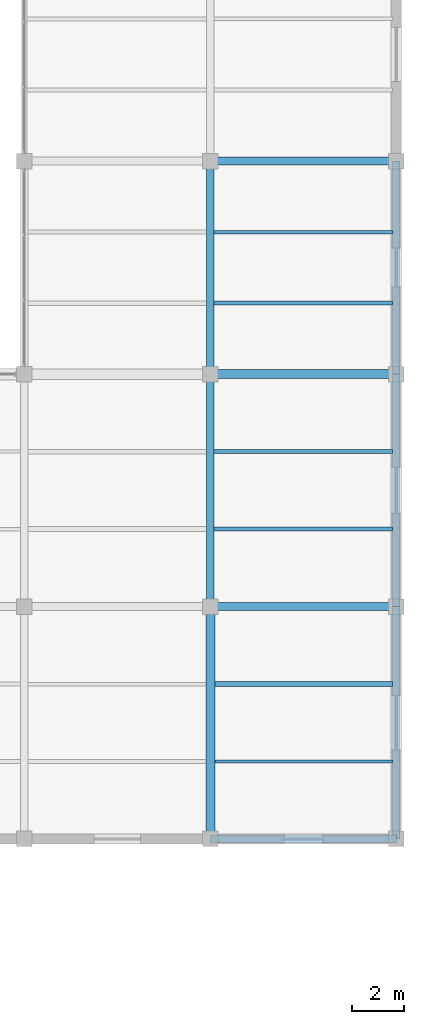
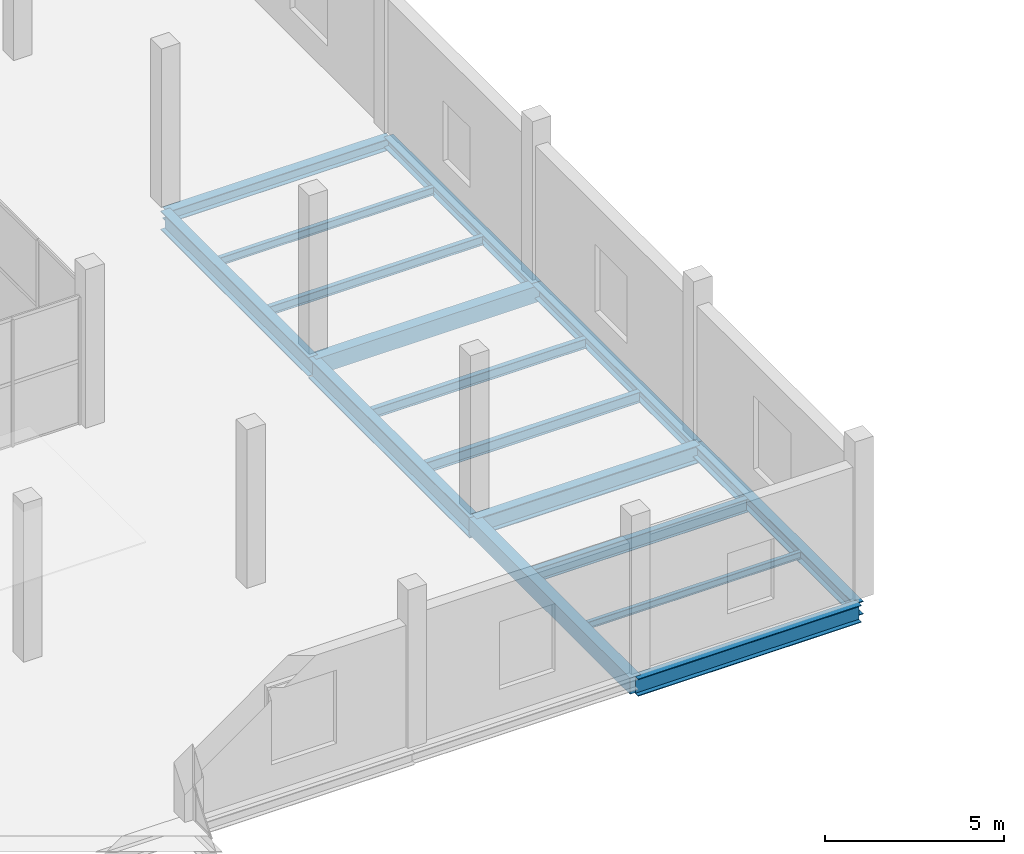
# One storey, part 93 of 141: 16 beams.
"""IFC4 building model written with IfcOpenShell, lengths in metres."""

from ifc_helpers import new_model, si_unit, direction, frame, origin, origin_2d, place, context, subcontext, project, spatial, rectangle, i_section, extrude, material, material_profile, profile_set, type_object, element, save


model = new_model("IFC4")

# Units and contexts
model_context = context("Model", 3, precision=1e-05, world=origin(), true_north=direction((0.0, 1.0)))
body_context = subcontext(model_context, "Body", "Model", "MODEL_VIEW")
ifc_project = project(units=[si_unit("LENGTHUNIT", "METRE"), si_unit("AREAUNIT", "SQUARE_METRE"), si_unit("VOLUMEUNIT", "CUBIC_METRE"), si_unit("PLANEANGLEUNIT", "RADIAN"), si_unit("MASSUNIT", "GRAM", prefix="KILO")], contexts=[model_context])

# Site, building, storey
site_placement = place(None, origin())
site = spatial("IfcSite", under=ifc_project, at=site_placement, CompositionType="ELEMENT")
building_placement = place(site_placement, origin())
building = spatial("IfcBuilding", under=site, at=building_placement, Name="Sundgate Opera House", CompositionType="ELEMENT")
storey_placement = place(building_placement, frame((0.0, 0.0, 11.39990234375)))
storey = spatial("IfcBuildingStorey", under=building, at=storey_placement, Name="L02", CompositionType="ELEMENT", Elevation=11.39990234375)

# Beams
ifc_material_1 = material(Name="Steel S355J2", Category="steel")
ifc_material_profile_1 = material_profile(ifc_material_1, i_section(OverallWidth=0.300048828125, OverallDepth=0.389892578125, WebThickness=0.010986328125, FlangeThickness=0.01904296875, at=origin_2d()), Name="HEA 400")
ifc_profile_set_1 = profile_set([ifc_material_profile_1], Name="Steel S355J2")
beam_type_1 = type_object("IfcBeamType", Name="BM-GR-HEA400", PredefinedType="BEAM", material=ifc_profile_set_1)
beam_1_placement = place(storey_placement, frame((160.199951171875, 95.25, -0.544921875), z_axis=(1.0, 0.0, 0.0), x_axis=(0.0, 1.0, 0.0)))
element("IfcBeam", 1, at=beam_1_placement, inside=storey, type_object=beam_type_1, Name="L02 Primary E-W Girder B2080", PredefinedType="BEAM", context=body_context, shape_type="SweptSolid", body=[
    extrude(i_section(OverallWidth=0.300048828125, OverallDepth=0.389892578125, WebThickness=0.010986328125, FlangeThickness=0.01904296875, at=origin_2d()), origin(), (0.0, 0.0, 1.0), 7.199951171875),
])
ifc_material_2 = material(Name="Steel S355J2", Category="steel")
ifc_material_profile_2 = material_profile(ifc_material_2, i_section(OverallWidth=0.300048828125, OverallDepth=0.590087890625, WebThickness=0.012939453125, FlangeThickness=0.02490234375, at=origin_2d()), Name="HEA 600")
ifc_profile_set_2 = profile_set([ifc_material_profile_2], Name="Steel S355J2")
beam_type_2 = type_object("IfcBeamType", Name="BM-GR-HEA600", PredefinedType="BEAM", material=ifc_profile_set_2)
beam_2_placement = place(storey_placement, frame((160.199951171875, 69.0, -0.64501953125), z_axis=(1.0, 0.0, 0.0), x_axis=(0.0, 1.0, 0.0)))
element("IfcBeam", 2, at=beam_2_placement, inside=storey, type_object=beam_type_2, Name="L02 Primary E-W Girder B2043", PredefinedType="BEAM", context=body_context, shape_type="SweptSolid", body=[
    extrude(i_section(OverallWidth=0.300048828125, OverallDepth=0.590087890625, WebThickness=0.012939453125, FlangeThickness=0.02490234375, at=origin_2d()), origin(), (0.0, 0.0, 1.0), 7.199951171875),
])
ifc_material_3 = material(Name="Steel S355J2", Category="steel")
ifc_material_profile_3 = material_profile(ifc_material_3, i_section(OverallWidth=0.300048828125, OverallDepth=0.360107421875, WebThickness=0.012451171875, FlangeThickness=0.0224609375, at=origin_2d()), Name="HEB 360")
ifc_profile_set_3 = profile_set([ifc_material_profile_3], Name="Steel S355J2")
beam_type_3 = type_object("IfcBeamType", Name="BM-GR-HEB360", PredefinedType="BEAM", material=ifc_profile_set_3)
beam_3_placement = place(storey_placement, frame((167.39990234375, 87.0, -0.52978515625), z_axis=(0.0, 1.0, 0.0), x_axis=(-1.0, 0.0, 0.0)))
element("IfcBeam", 3, at=beam_3_placement, inside=storey, type_object=beam_type_3, Name="L02 Primary N-S Girder B1952", PredefinedType="BEAM", context=body_context, shape_type="SweptSolid", body=[
    extrude(i_section(OverallWidth=0.300048828125, OverallDepth=0.360107421875, WebThickness=0.012451171875, FlangeThickness=0.0224609375, at=origin_2d()), origin(), (0.0, 0.0, 1.0), 8.25),
])
ifc_material_4 = material(Name="Steel S355J2", Category="steel")
ifc_material_profile_4 = material_profile(ifc_material_4, i_section(OverallWidth=0.300048828125, OverallDepth=0.39990234375, WebThickness=0.013427734375, FlangeThickness=0.02392578125, at=origin_2d()), Name="HEB 400")
ifc_profile_set_4 = profile_set([ifc_material_profile_4], Name="Steel S355J2")
beam_type_4 = type_object("IfcBeamType", Name="BM-GR-HEB400", PredefinedType="BEAM", material=ifc_profile_set_4)
beam_4_placement = place(storey_placement, frame((167.39990234375, 78.0, -0.5498046875), z_axis=(0.0, 1.0, 0.0), x_axis=(-1.0, 0.0, 0.0)))
element("IfcBeam", 4, at=beam_4_placement, inside=storey, type_object=beam_type_4, Name="L02 Primary N-S Girder B1951", PredefinedType="BEAM", context=body_context, shape_type="SweptSolid", body=[
    extrude(i_section(OverallWidth=0.300048828125, OverallDepth=0.39990234375, WebThickness=0.013427734375, FlangeThickness=0.02392578125, at=origin_2d()), origin(), (0.0, 0.0, 1.0), 9.0),
])
ifc_material_5 = material(Name="Steel S355J2", Category="steel")
ifc_material_profile_5 = material_profile(ifc_material_5, i_section(OverallWidth=0.300048828125, OverallDepth=0.449951171875, WebThickness=0.013916015625, FlangeThickness=0.02587890625, at=origin_2d()), Name="HEB 450")
ifc_profile_set_5 = profile_set([ifc_material_profile_5], Name="Steel S355J2")
beam_type_5 = type_object("IfcBeamType", Name="BM-GR-HEB450", PredefinedType="BEAM", material=ifc_profile_set_5)
beam_5_placement = place(storey_placement, frame((167.39990234375, 69.0, -0.574951171875), z_axis=(0.0, 1.0, 0.0), x_axis=(-1.0, 0.0, 0.0)))
element("IfcBeam", 5, at=beam_5_placement, inside=storey, type_object=beam_type_5, Name="L02 Primary N-S Girder B1950", PredefinedType="BEAM", context=body_context, shape_type="SweptSolid", body=[
    extrude(i_section(OverallWidth=0.300048828125, OverallDepth=0.449951171875, WebThickness=0.013916015625, FlangeThickness=0.02587890625, at=origin_2d()), origin(), (0.0, 0.0, 1.0), 9.0),
])
ifc_material_6 = material(Name="Steel S355J2", Category="steel")
ifc_material_profile_6 = material_profile(ifc_material_6, i_section(OverallWidth=0.300048828125, OverallDepth=0.60009765625, WebThickness=0.015380859375, FlangeThickness=0.030029296875, at=origin_2d()), Name="HEB 600")
ifc_profile_set_6 = profile_set([ifc_material_profile_6], Name="Steel S355J2")
beam_type_6 = type_object("IfcBeamType", Name="BM-GR-HEB600", PredefinedType="BEAM", material=ifc_profile_set_6)
beam_6_placement = place(storey_placement, frame((160.199951171875, 78.0, -0.64990234375), z_axis=(1.0, 0.0, 0.0), x_axis=(0.0, 1.0, 0.0)))
element("IfcBeam", 6, at=beam_6_placement, inside=storey, type_object=beam_type_6, Name="L02 Primary E-W Girder B2055", PredefinedType="BEAM", context=body_context, shape_type="SweptSolid", body=[
    extrude(i_section(OverallWidth=0.300048828125, OverallDepth=0.60009765625, WebThickness=0.015380859375, FlangeThickness=0.030029296875, at=origin_2d()), origin(), (0.0, 0.0, 1.0), 7.199951171875),
])
ifc_material_7 = material(Name="Steel S355J2", Category="steel")
ifc_material_profile_7 = material_profile(ifc_material_7, i_section(OverallWidth=0.300048828125, OverallDepth=0.64990234375, WebThickness=0.01611328125, FlangeThickness=0.031005859375, at=origin_2d()), Name="HEB 650")
ifc_profile_set_7 = profile_set([ifc_material_profile_7], Name="Steel S355J2")
beam_type_7 = type_object("IfcBeamType", Name="BM-GR-HEB650", PredefinedType="BEAM", material=ifc_profile_set_7)
beam_7_placement = place(storey_placement, frame((160.199951171875, 87.0, -0.6748046875), z_axis=(0.0, 1.0, 0.0), x_axis=(-1.0, 0.0, 0.0)))
element("IfcBeam", 7, at=beam_7_placement, inside=storey, type_object=beam_type_7, Name="L02 Primary N-S Girder B1946", PredefinedType="BEAM", context=body_context, shape_type="SweptSolid", body=[
    extrude(i_section(OverallWidth=0.300048828125, OverallDepth=0.64990234375, WebThickness=0.01611328125, FlangeThickness=0.031005859375, at=origin_2d()), origin(), (0.0, 0.0, 1.0), 8.25),
])
ifc_material_8 = material(Name="Steel S355J2", Category="steel")
ifc_material_profile_8 = material_profile(ifc_material_8, i_section(OverallWidth=0.300048828125, OverallDepth=0.699951171875, WebThickness=0.01708984375, FlangeThickness=0.031982421875, at=origin_2d()), Name="HEB 700")
ifc_profile_set_8 = profile_set([ifc_material_profile_8], Name="Steel S355J2")
beam_type_8 = type_object("IfcBeamType", Name="BM-GR-HEB700", PredefinedType="BEAM", material=ifc_profile_set_8)
beam_8_placement = place(storey_placement, frame((160.199951171875, 78.0, -0.699951171875), z_axis=(0.0, 1.0, 0.0), x_axis=(-1.0, 0.0, 0.0)))
element("IfcBeam", 8, at=beam_8_placement, inside=storey, type_object=beam_type_8, Name="L02 Primary N-S Girder B1945", PredefinedType="BEAM", context=body_context, shape_type="SweptSolid", body=[
    extrude(i_section(OverallWidth=0.300048828125, OverallDepth=0.699951171875, WebThickness=0.01708984375, FlangeThickness=0.031982421875, at=origin_2d()), origin(), (0.0, 0.0, 1.0), 9.0),
])
ifc_material_9 = material(Name="Steel S355J2", Category="steel")
ifc_material_profile_9 = material_profile(ifc_material_9, i_section(OverallWidth=0.1201171875, OverallDepth=0.239990234375, WebThickness=0.006103515625, FlangeThickness=0.009765625, at=origin_2d()), Name="IPE 240")
ifc_profile_set_9 = profile_set([ifc_material_profile_9], Name="Steel S355J2")
beam_type_9 = type_object("IfcBeamType", Name="BM-JS-IPE240", PredefinedType="JOIST", material=ifc_profile_set_9)
beam_9_placement = place(storey_placement, frame((160.375, 72.0, -0.469970703125), z_axis=(1.0, 0.0, 0.0), x_axis=(0.0, 1.0, 0.0)))
element("IfcBeam", 9, at=beam_9_placement, inside=storey, type_object=beam_type_9, Name="L02 Secondary Floor Joist B2303", PredefinedType="JOIST", context=body_context, shape_type="SweptSolid", body=[
    extrude(i_section(OverallWidth=0.1201171875, OverallDepth=0.239990234375, WebThickness=0.006103515625, FlangeThickness=0.009765625, at=origin_2d()), origin(), (0.0, 0.0, 1.0), 6.875),
])
ifc_material_10 = material(Name="Steel S355J2", Category="steel")
ifc_material_profile_10 = material_profile(ifc_material_10, i_section(OverallWidth=0.135009765625, OverallDepth=0.27001953125, WebThickness=0.006591796875, FlangeThickness=0.01025390625, at=origin_2d()), Name="IPE 270")
ifc_profile_set_10 = profile_set([ifc_material_profile_10], Name="Steel S355J2")
beam_type_10 = type_object("IfcBeamType", Name="BM-JS-IPE270", PredefinedType="JOIST", material=ifc_profile_set_10)
beam_10_placement = place(storey_placement, frame((160.35009765625, 92.5, -0.48486328125), z_axis=(1.0, 0.0, 0.0), x_axis=(0.0, 1.0, 0.0)))
element("IfcBeam", 10, at=beam_10_placement, inside=storey, type_object=beam_type_10, Name="L02 Secondary Floor Joist B2358", PredefinedType="JOIST", context=body_context, shape_type="SweptSolid", body=[
    extrude(i_section(OverallWidth=0.135009765625, OverallDepth=0.27001953125, WebThickness=0.006591796875, FlangeThickness=0.01025390625, at=origin_2d()), origin(), (0.0, 0.0, 1.0), 6.89990234375),
])
ifc_material_11 = material(Name="Steel S355J2", Category="steel")
ifc_material_profile_11 = material_profile(ifc_material_11, i_section(OverallWidth=0.14990234375, OverallDepth=0.300048828125, WebThickness=0.007080078125, FlangeThickness=0.0107421875, at=origin_2d()), Name="IPE 300")
ifc_profile_set_11 = profile_set([ifc_material_profile_11], Name="Steel S355J2")
beam_type_11 = type_object("IfcBeamType", Name="BM-JS-IPE300", PredefinedType="JOIST", material=ifc_profile_set_11)
beam_11_placement = place(storey_placement, frame((160.35009765625, 89.75, -0.5), z_axis=(1.0, 0.0, 0.0), x_axis=(0.0, 1.0, 0.0)))
element("IfcBeam", 11, at=beam_11_placement, inside=storey, type_object=beam_type_11, Name="L02 Secondary Floor Joist B2357", PredefinedType="JOIST", context=body_context, shape_type="SweptSolid", body=[
    extrude(i_section(OverallWidth=0.14990234375, OverallDepth=0.300048828125, WebThickness=0.007080078125, FlangeThickness=0.0107421875, at=origin_2d()), origin(), (0.0, 0.0, 1.0), 6.89990234375),
])
ifc_material_12 = material(Name="Steel S355J2", Category="steel")
ifc_material_profile_12 = material_profile(ifc_material_12, i_section(OverallWidth=0.159912109375, OverallDepth=0.330078125, WebThickness=0.007568359375, FlangeThickness=0.011474609375, at=origin_2d()), Name="IPE 330")
ifc_profile_set_12 = profile_set([ifc_material_profile_12], Name="Steel S355J2")
beam_type_12 = type_object("IfcBeamType", Name="BM-JS-IPE330", PredefinedType="JOIST", material=ifc_profile_set_12)
beam_12_placement = place(storey_placement, frame((160.35009765625, 84.0, -0.514892578125), z_axis=(1.0, 0.0, 0.0), x_axis=(0.0, 1.0, 0.0)))
element("IfcBeam", 12, at=beam_12_placement, inside=storey, type_object=beam_type_12, Name="L02 Secondary Floor Joist B2335", PredefinedType="JOIST", context=body_context, shape_type="SweptSolid", body=[
    extrude(i_section(OverallWidth=0.159912109375, OverallDepth=0.330078125, WebThickness=0.007568359375, FlangeThickness=0.011474609375, at=origin_2d()), origin(), (0.0, 0.0, 1.0), 6.89990234375),
])
ifc_material_13 = material(Name="Steel S355J2", Category="steel")
ifc_material_profile_13 = material_profile(ifc_material_13, i_section(OverallWidth=0.169921875, OverallDepth=0.360107421875, WebThickness=0.008056640625, FlangeThickness=0.0126953125, at=origin_2d()), Name="IPE 360")
ifc_profile_set_13 = profile_set([ifc_material_profile_13], Name="Steel S355J2")
beam_type_13 = type_object("IfcBeamType", Name="BM-JS-IPE360", PredefinedType="JOIST", material=ifc_profile_set_13)
beam_13_placement = place(storey_placement, frame((160.35009765625, 81.0, -0.52978515625), z_axis=(1.0, 0.0, 0.0), x_axis=(0.0, 1.0, 0.0)))
element("IfcBeam", 13, at=beam_13_placement, inside=storey, type_object=beam_type_13, Name="L02 Secondary Floor Joist B2334", PredefinedType="JOIST", context=body_context, shape_type="SweptSolid", body=[
    extrude(i_section(OverallWidth=0.169921875, OverallDepth=0.360107421875, WebThickness=0.008056640625, FlangeThickness=0.0126953125, at=origin_2d()), origin(), (0.0, 0.0, 1.0), 6.89990234375),
])
ifc_material_14 = material(Name="Steel S355J2", Category="steel")
ifc_material_profile_14 = material_profile(ifc_material_14, i_section(OverallWidth=0.18994140625, OverallDepth=0.449951171875, WebThickness=0.009521484375, FlangeThickness=0.0146484375, at=origin_2d()), Name="IPE 450")
ifc_profile_set_14 = profile_set([ifc_material_profile_14], Name="Steel S355J2")
beam_type_14 = type_object("IfcBeamType", Name="BM-JS-IPE450", PredefinedType="JOIST", material=ifc_profile_set_14)
beam_14_placement = place(storey_placement, frame((160.375, 75.0, -0.574951171875), z_axis=(1.0, 0.0, 0.0), x_axis=(0.0, 1.0, 0.0)))
element("IfcBeam", 14, at=beam_14_placement, inside=storey, type_object=beam_type_14, Name="L02 Secondary Floor Joist B2304", PredefinedType="JOIST", context=body_context, shape_type="SweptSolid", body=[
    extrude(i_section(OverallWidth=0.18994140625, OverallDepth=0.449951171875, WebThickness=0.009521484375, FlangeThickness=0.0146484375, at=origin_2d()), origin(), (0.0, 0.0, 1.0), 6.875),
])
ifc_material_15 = material(Name="Concrete C35/45", Category="concrete")
ifc_material_profile_15 = material_profile(ifc_material_15, rectangle(XDim=0.35009765625, YDim=0.550048828125, at=origin_2d()), Name="RC 350x550")
ifc_profile_set_15 = profile_set([ifc_material_profile_15], Name="Concrete C35/45")
beam_type_15 = type_object("IfcBeamType", Name="BM-RC-350x550", PredefinedType="BEAM", material=ifc_profile_set_15)
beam_15_placement = place(storey_placement, frame((160.199951171875, 69.0, -0.625), z_axis=(0.0, 1.0, 0.0), x_axis=(-1.0, 0.0, 0.0)))
element("IfcBeam", 15, at=beam_15_placement, inside=storey, type_object=beam_type_15, Name="L02 Primary N-S Girder B1944", PredefinedType="BEAM", context=body_context, shape_type="SweptSolid", body=[
    extrude(rectangle(XDim=0.35009765625, YDim=0.550048828125, at=origin_2d()), origin(), (0.0, 0.0, 1.0), 9.0),
])
beam_16_placement = place(storey_placement, frame((160.199951171875, 87.0, -0.625), z_axis=(1.0, 0.0, 0.0), x_axis=(0.0, 1.0, 0.0)))
element("IfcBeam", 16, at=beam_16_placement, inside=storey, type_object=beam_type_15, Name="L02 Primary E-W Girder B2068", PredefinedType="BEAM", context=body_context, shape_type="SweptSolid", body=[
    extrude(rectangle(XDim=0.35009765625, YDim=0.550048828125, at=origin_2d()), origin(), (0.0, 0.0, 1.0), 7.199951171875),
])

save(model, "model.ifc")
